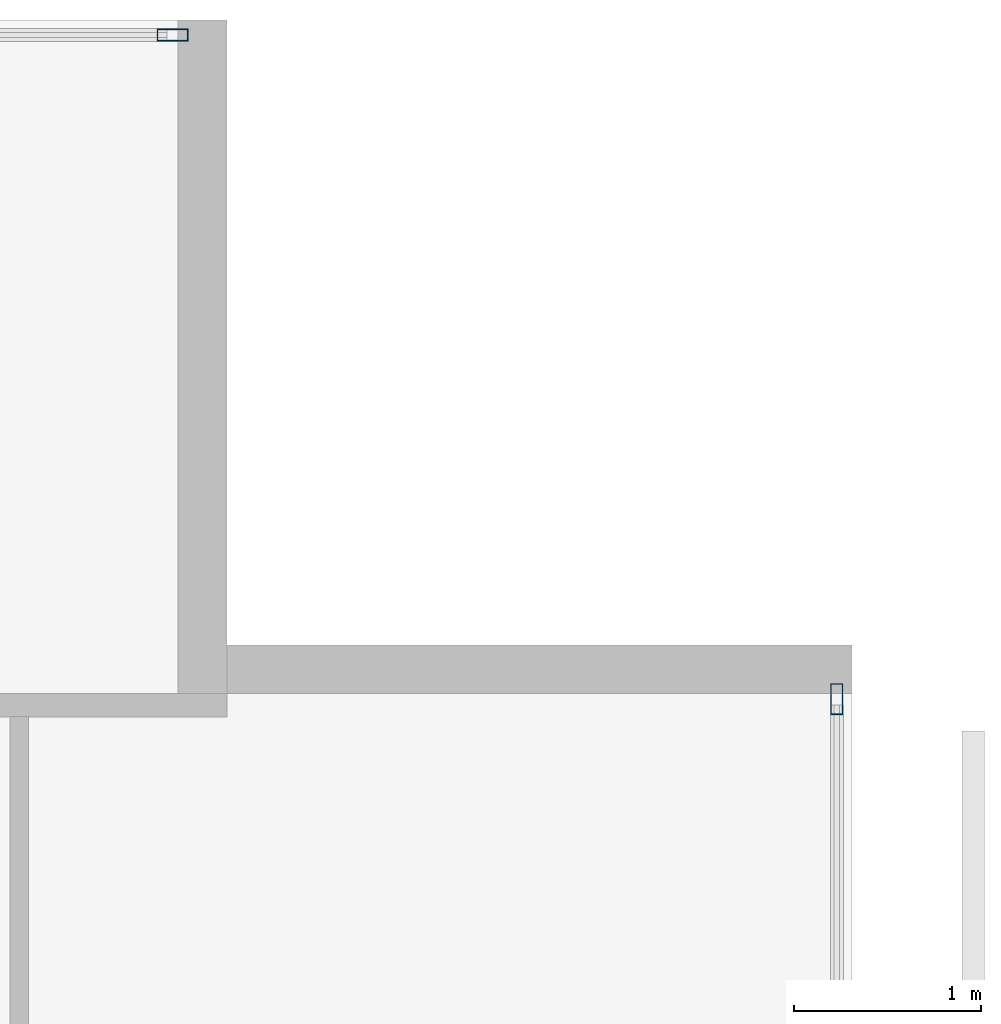
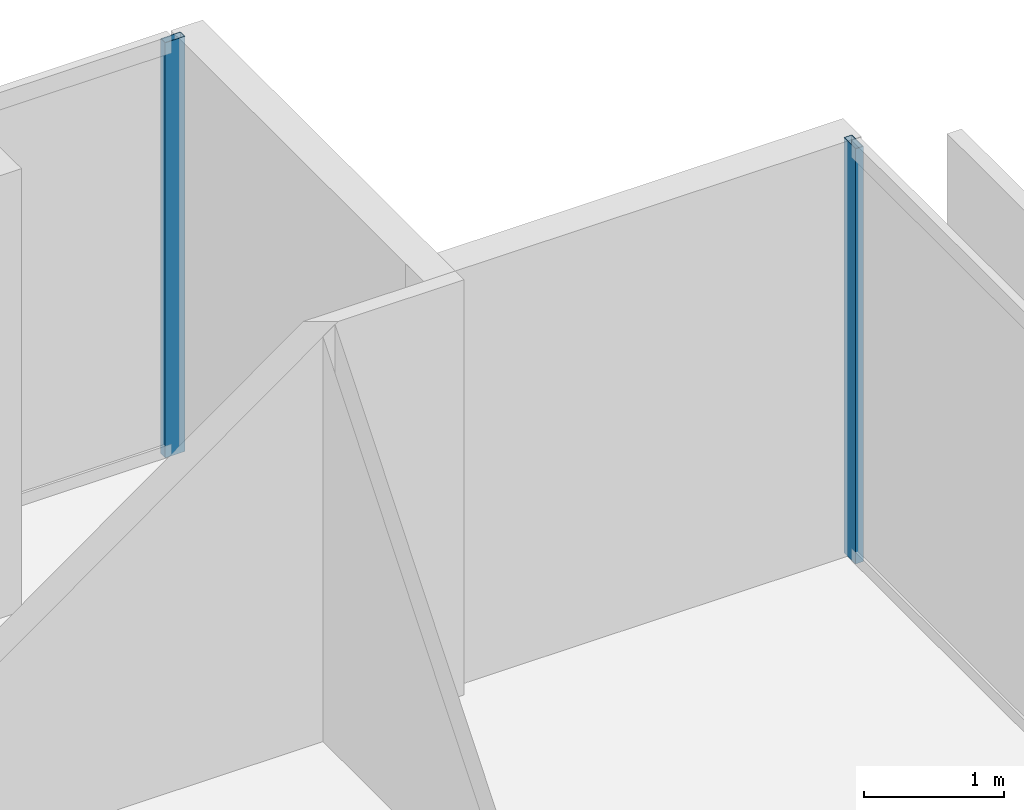
# One storey, part 31 of 40: 2 members, 2 elements without a shape of their own.
"""IFC4 building model written with IfcOpenShell, lengths in metres."""

from ifc_helpers import new_model, si_unit, direction, frame, origin, origin_2d, place, context, subcontext, project, spatial, hollow_rectangle, extrude, material, layer, layer_set, material_profile, profile_set, type_object, element, aggregate, save


model = new_model("IFC4")

# Units and contexts
model_context = context("Model", 3, precision=1e-05, world=origin(), true_north=direction((0.0, 1.0)))
body_context = subcontext(model_context, "Body", "Model", "MODEL_VIEW")
ifc_project = project(units=[si_unit("LENGTHUNIT", "METRE"), si_unit("AREAUNIT", "SQUARE_METRE"), si_unit("VOLUMEUNIT", "CUBIC_METRE"), si_unit("PLANEANGLEUNIT", "RADIAN"), si_unit("MASSUNIT", "GRAM", prefix="KILO")], contexts=[model_context])

# Site, building, storey
site_placement = place(None, origin())
site = spatial("IfcSite", under=ifc_project, at=site_placement, CompositionType="ELEMENT")
building_placement = place(site_placement, origin())
building = spatial("IfcBuilding", under=site, at=building_placement, Name="Maruvema Waterfront Hotel and Observation Tower", CompositionType="ELEMENT")
storey_placement = place(building_placement, frame((0.0, 0.0, 92.39990234375)))
storey = spatial("IfcBuildingStorey", under=building, at=storey_placement, Name="L22", CompositionType="ELEMENT", Elevation=92.39990234375)

# Curtain wall, member
ifc_material_1 = material(Name="Anodised bronze aluminium and solar-control low-E IGU", Category="aluminium")
ifc_layer = layer(ifc_material_1, 0.159912109375, Name="Zone 1 Bronze Inner Thermal Curtain Wall System CW-02")
ifc_layer_set = layer_set([ifc_layer], Name="Anodised bronze aluminium and solar-control low-E IGU")
curtain_wall_type = type_object("IfcCurtainWallType", Name="Zone 1 Bronze Inner Thermal Curtain Wall System CW-02", PredefinedType="USERDEFINED", material=ifc_layer_set)
curtain_wall_1_placement = place(storey_placement, origin())
curtain_wall_1 = element("IfcCurtainWall", 1, at=curtain_wall_1_placement, inside=storey, type_object=curtain_wall_type, Name="L22 Curtain Wall CW-L22-E", ObjectType="UNITISED CURTAIN WALL", PredefinedType="USERDEFINED")
ifc_material_2 = material(Name="Anodised architectural bronze aluminium", Category="aluminium")
ifc_material_profile = material_profile(ifc_material_2, hollow_rectangle(XDim=0.06494140625, YDim=0.1650390625, WallThickness=0.00390625, at=origin_2d()), Name="ALU-M65x165")
ifc_profile_set = profile_set([ifc_material_profile], Name="Anodised architectural bronze aluminium")
member_type = type_object("IfcMemberType", Name="Curtain Wall Primary Mullion ALU-M65x165", PredefinedType="MULLION", material=ifc_profile_set)
member_1_placement = place(storey_placement, frame((64.719970703125, 50.3701171875, 0.0), z_axis=(0.0, 0.0, 1.0), x_axis=(-1.0, 0.0, 0.0)))
member_1 = element("IfcMember", 2, at=member_1_placement, type_object=member_type, Name="CW-02 mullion 7", PredefinedType="MULLION", context=body_context, shape_type="SweptSolid", body=[
    extrude(hollow_rectangle(XDim=0.06494140625, YDim=0.1650390625, WallThickness=0.00390625, at=origin_2d()), origin(), (0.0, 0.0, 1.0), 3.610107421875),
])
aggregate(curtain_wall_1, [member_1])

curtain_wall_2_placement = place(storey_placement, origin())
curtain_wall_2 = element("IfcCurtainWall", 3, at=curtain_wall_2_placement, inside=storey, type_object=curtain_wall_type, Name="L22 Curtain Wall CW-L22-NE", ObjectType="UNITISED CURTAIN WALL", PredefinedType="USERDEFINED")
member_2_placement = place(storey_placement, frame((61.169921875, 53.919921875, 0.0), z_axis=(0.0, 0.0, 1.0), x_axis=(0.0, -1.0, 0.0)))
member_2 = element("IfcMember", 4, at=member_2_placement, type_object=member_type, Name="CW-02 mullion 1", PredefinedType="MULLION", context=body_context, shape_type="SweptSolid", body=[
    extrude(hollow_rectangle(XDim=0.06494140625, YDim=0.1650390625, WallThickness=0.00390625, at=origin_2d()), origin(), (0.0, 0.0, 1.0), 3.610107421875),
])
aggregate(curtain_wall_2, [member_2])

save(model, "model.ifc")
